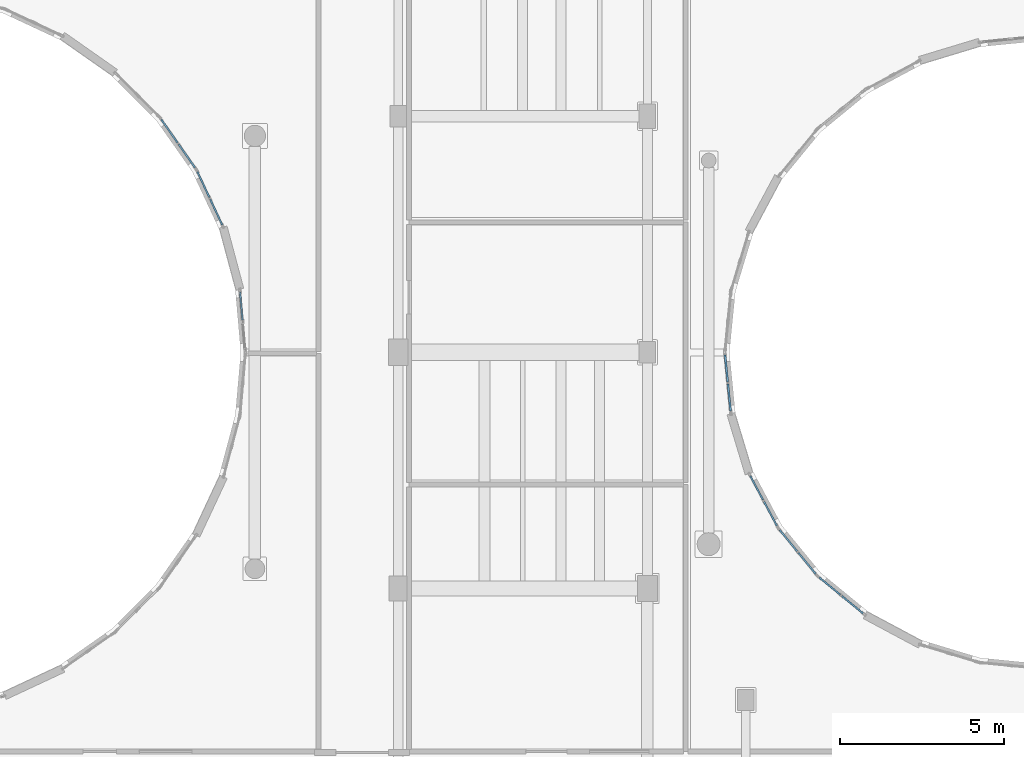
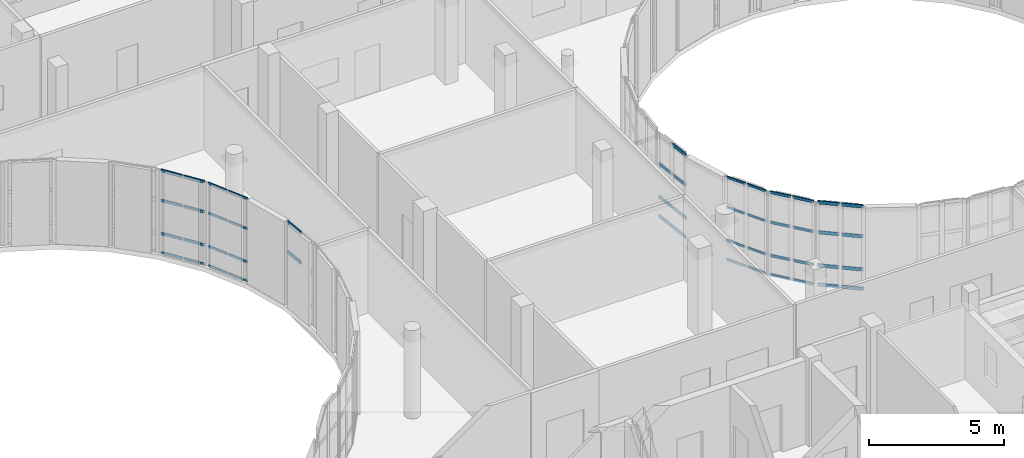
# One storey, part 55 of 105: 49 members, 7 elements without a shape of their own.
"""IFC4 building model written with IfcOpenShell, lengths in metres."""

from ifc_helpers import new_model, si_unit, direction, frame, origin, origin_2d, place, context, subcontext, project, spatial, hollow_rectangle, extrude, material, layer, layer_set, material_profile, profile_set, type_object, element, aggregate, save


model = new_model("IFC4")

# Units and contexts
model_context = context("Model", 3, precision=1e-05, world=origin(), true_north=direction((0.0, 1.0)))
body_context = subcontext(model_context, "Body", "Model", "MODEL_VIEW")
ifc_project = project(units=[si_unit("LENGTHUNIT", "METRE"), si_unit("AREAUNIT", "SQUARE_METRE"), si_unit("VOLUMEUNIT", "CUBIC_METRE"), si_unit("PLANEANGLEUNIT", "RADIAN"), si_unit("MASSUNIT", "GRAM", prefix="KILO")], contexts=[model_context])

# Site, building, storey
site_placement = place(None, origin())
site = spatial("IfcSite", under=ifc_project, at=site_placement, CompositionType="ELEMENT")
building_placement = place(site_placement, origin())
building = spatial("IfcBuilding", under=site, at=building_placement, Name="Kelanivale Promenade Academy", CompositionType="ELEMENT")
storey_placement = place(building_placement, frame((0.0, 0.0, 4.199951171875)))
storey = spatial("IfcBuildingStorey", under=building, at=storey_placement, Name="L01", CompositionType="ELEMENT", Elevation=4.199951171875)

# Curtain wall, members
ifc_material_1 = material(Name="Bronze anodised aluminium and solar-control low-E glass", Category="aluminium")
ifc_layer_1 = layer(ifc_material_1, 0.179931640625)
ifc_layer_set_1 = layer_set([ifc_layer_1], Name="Bronze anodised aluminium and solar-control low-E glass")
curtain_wall_type_1 = type_object("IfcCurtainWallType", Name="CW-17 Curtain Wall 1950mm Module", PredefinedType="USERDEFINED", material=ifc_layer_set_1)
curtain_wall_1_placement = place(storey_placement, origin())
curtain_wall_1 = element("IfcCurtainWall", 1, at=curtain_wall_1_placement, inside=storey, type_object=curtain_wall_type_1, Name="L01 courtyard curtain wall CW-17", ObjectType="COURTYARD SCREEN GLAZING", PredefinedType="USERDEFINED")
ifc_material_2 = material(Name="Bronze anodised aluminium EN AW-6063 T6", Category="aluminium")
ifc_material_profile_1 = material_profile(ifc_material_2, hollow_rectangle(XDim=0.050048828125, YDim=0.10009765625, WallThickness=0.0029296875, at=origin_2d()), Name="ALU 50x100x3.0")
ifc_profile_set_1 = profile_set([ifc_material_profile_1], Name="Bronze anodised aluminium EN AW-6063 T6")
member_type_1 = type_object("IfcMemberType", Name="CWT-01 ALU 50x100x3.0", PredefinedType="USERDEFINED", material=ifc_profile_set_1)
member_1_placement = place(storey_placement, frame((89.935302734375, 53.033203125, 0.025146484375), z_axis=(0.471165332138, -0.882044913704, 0.0), x_axis=(0.882044913704, 0.471165332138, 0.0)))
member_1 = element("IfcMember", 2, at=member_1_placement, type_object=member_type_1, Name="CW-17 transom 1.1", ObjectType="TRANSOM", PredefinedType="USERDEFINED", context=body_context, shape_type="SweptSolid", body=[
    extrude(hollow_rectangle(XDim=0.050048828125, YDim=0.10009765625, WallThickness=0.0029296875, at=origin_2d()), origin(), (0.0, 0.0, 1.0), 0.834228515625),
])
member_2_placement = place(storey_placement, frame((89.935302734375, 53.033203125, 0.900146484375), z_axis=(0.471165332138, -0.882044913704, 0.0), x_axis=(0.882044913704, 0.471165332138, 0.0)))
member_2 = element("IfcMember", 3, at=member_2_placement, type_object=member_type_1, Name="CW-17 transom 1.2", ObjectType="TRANSOM", PredefinedType="USERDEFINED", context=body_context, shape_type="SweptSolid", body=[
    extrude(hollow_rectangle(XDim=0.050048828125, YDim=0.10009765625, WallThickness=0.0029296875, at=origin_2d()), origin(), (0.0, 0.0, 1.0), 0.834228515625),
])
member_3_placement = place(storey_placement, frame((89.935302734375, 53.033203125, 2.400146484375), z_axis=(0.471165332138, -0.882044913704, 0.0), x_axis=(0.882044913704, 0.471165332138, 0.0)))
member_3 = element("IfcMember", 4, at=member_3_placement, type_object=member_type_1, Name="CW-17 transom 1.3", ObjectType="TRANSOM", PredefinedType="USERDEFINED", context=body_context, shape_type="SweptSolid", body=[
    extrude(hollow_rectangle(XDim=0.050048828125, YDim=0.10009765625, WallThickness=0.0029296875, at=origin_2d()), origin(), (0.0, 0.0, 1.0), 0.834228515625),
])
member_4_placement = place(storey_placement, frame((89.935302734375, 53.033203125, 3.755126953125), z_axis=(0.471165332138, -0.882044913704, 0.0), x_axis=(0.882044913704, 0.471165332138, 0.0)))
member_4 = element("IfcMember", 5, at=member_4_placement, type_object=member_type_1, Name="CW-17 transom 1.4", ObjectType="TRANSOM", PredefinedType="USERDEFINED", context=body_context, shape_type="SweptSolid", body=[
    extrude(hollow_rectangle(XDim=0.050048828125, YDim=0.10009765625, WallThickness=0.0029296875, at=origin_2d()), origin(), (0.0, 0.0, 1.0), 0.834228515625),
])
member_5_placement = place(storey_placement, frame((90.356689453125, 52.24462890625, 0.025146484375), z_axis=(0.471286980873, -0.881979921347, 0.0), x_axis=(0.881979921347, 0.471286980873, 0.0)))
member_5 = element("IfcMember", 6, at=member_5_placement, type_object=member_type_1, Name="CW-17 transom 2.1", ObjectType="TRANSOM", PredefinedType="USERDEFINED", context=body_context, shape_type="SweptSolid", body=[
    extrude(hollow_rectangle(XDim=0.050048828125, YDim=0.10009765625, WallThickness=0.0029296875, at=origin_2d()), origin(), (0.0, 0.0, 1.0), 0.833984375),
])
member_6_placement = place(storey_placement, frame((90.356689453125, 52.24462890625, 0.900146484375), z_axis=(0.471286980873, -0.881979921347, 0.0), x_axis=(0.881979921347, 0.471286980873, 0.0)))
member_6 = element("IfcMember", 7, at=member_6_placement, type_object=member_type_1, Name="CW-17 transom 2.2", ObjectType="TRANSOM", PredefinedType="USERDEFINED", context=body_context, shape_type="SweptSolid", body=[
    extrude(hollow_rectangle(XDim=0.050048828125, YDim=0.10009765625, WallThickness=0.0029296875, at=origin_2d()), origin(), (0.0, 0.0, 1.0), 0.833984375),
])
member_7_placement = place(storey_placement, frame((90.356689453125, 52.24462890625, 2.400146484375), z_axis=(0.471286980873, -0.881979921347, 0.0), x_axis=(0.881979921347, 0.471286980873, 0.0)))
member_7 = element("IfcMember", 8, at=member_7_placement, type_object=member_type_1, Name="CW-17 transom 2.3", ObjectType="TRANSOM", PredefinedType="USERDEFINED", context=body_context, shape_type="SweptSolid", body=[
    extrude(hollow_rectangle(XDim=0.050048828125, YDim=0.10009765625, WallThickness=0.0029296875, at=origin_2d()), origin(), (0.0, 0.0, 1.0), 0.833984375),
])
member_8_placement = place(storey_placement, frame((90.356689453125, 52.24462890625, 3.755126953125), z_axis=(0.471286980873, -0.881979921347, 0.0), x_axis=(0.881979921347, 0.471286980873, 0.0)))
member_8 = element("IfcMember", 9, at=member_8_placement, type_object=member_type_1, Name="CW-17 transom 2.4", ObjectType="TRANSOM", PredefinedType="USERDEFINED", context=body_context, shape_type="SweptSolid", body=[
    extrude(hollow_rectangle(XDim=0.050048828125, YDim=0.10009765625, WallThickness=0.0029296875, at=origin_2d()), origin(), (0.0, 0.0, 1.0), 0.833984375),
])
aggregate(curtain_wall_1, [member_1, member_2, member_3, member_4, member_5, member_6, member_7, member_8])

ifc_layer_2 = layer(ifc_material_1, 0.179931640625)
ifc_layer_set_2 = layer_set([ifc_layer_2], Name="Bronze anodised aluminium and solar-control low-E glass")
curtain_wall_type_2 = type_object("IfcCurtainWallType", Name="CW-05 Curtain Wall 1950mm Module", PredefinedType="USERDEFINED", material=ifc_layer_set_2)
curtain_wall_2_placement = place(storey_placement, origin())
curtain_wall_2 = element("IfcCurtainWall", 10, at=curtain_wall_2_placement, inside=storey, type_object=curtain_wall_type_2, Name="L01 courtyard curtain wall CW-05", ObjectType="UNITISED GLAZING", PredefinedType="USERDEFINED")
member_9_placement = place(storey_placement, frame((73.83251953125, 60.689453125, 0.025146484375), z_axis=(-0.423009630056, 0.906125186098, 0.0), x_axis=(-0.906125186098, -0.423009630056, 0.0)))
member_9 = element("IfcMember", 11, at=member_9_placement, type_object=member_type_1, Name="CW-05 transom 1.1", ObjectType="TRANSOM", PredefinedType="USERDEFINED", context=body_context, shape_type="SweptSolid", body=[
    extrude(hollow_rectangle(XDim=0.050048828125, YDim=0.10009765625, WallThickness=0.0029296875, at=origin_2d()), origin(), (0.0, 0.0, 1.0), 0.861083984375),
])
member_10_placement = place(storey_placement, frame((73.83251953125, 60.689453125, 0.900146484375), z_axis=(-0.423009630056, 0.906125186098, 0.0), x_axis=(-0.906125186098, -0.423009630056, 0.0)))
member_10 = element("IfcMember", 12, at=member_10_placement, type_object=member_type_1, Name="CW-05 transom 1.2", ObjectType="TRANSOM", PredefinedType="USERDEFINED", context=body_context, shape_type="SweptSolid", body=[
    extrude(hollow_rectangle(XDim=0.050048828125, YDim=0.10009765625, WallThickness=0.0029296875, at=origin_2d()), origin(), (0.0, 0.0, 1.0), 0.861083984375),
])
member_11_placement = place(storey_placement, frame((73.83251953125, 60.689453125, 2.400146484375), z_axis=(-0.423009630056, 0.906125186098, 0.0), x_axis=(-0.906125186098, -0.423009630056, 0.0)))
member_11 = element("IfcMember", 13, at=member_11_placement, type_object=member_type_1, Name="CW-05 transom 1.3", ObjectType="TRANSOM", PredefinedType="USERDEFINED", context=body_context, shape_type="SweptSolid", body=[
    extrude(hollow_rectangle(XDim=0.050048828125, YDim=0.10009765625, WallThickness=0.0029296875, at=origin_2d()), origin(), (0.0, 0.0, 1.0), 0.861083984375),
])
member_12_placement = place(storey_placement, frame((73.83251953125, 60.689453125, 3.755126953125), z_axis=(-0.423009630056, 0.906125186098, 0.0), x_axis=(-0.906125186098, -0.423009630056, 0.0)))
member_12 = element("IfcMember", 14, at=member_12_placement, type_object=member_type_1, Name="CW-05 transom 1.4", ObjectType="TRANSOM", PredefinedType="USERDEFINED", context=body_context, shape_type="SweptSolid", body=[
    extrude(hollow_rectangle(XDim=0.050048828125, YDim=0.10009765625, WallThickness=0.0029296875, at=origin_2d()), origin(), (0.0, 0.0, 1.0), 0.861083984375),
])
member_13_placement = place(storey_placement, frame((73.44287109375, 61.524169921875, 0.025146484375), z_axis=(-0.423133693303, 0.906067258868, 0.0), x_axis=(-0.906067258868, -0.423133693303, 0.0)))
member_13 = element("IfcMember", 15, at=member_13_placement, type_object=member_type_1, Name="CW-05 transom 2.1", ObjectType="TRANSOM", PredefinedType="USERDEFINED", context=body_context, shape_type="SweptSolid", body=[
    extrude(hollow_rectangle(XDim=0.050048828125, YDim=0.10009765625, WallThickness=0.0029296875, at=origin_2d()), origin(), (0.0, 0.0, 1.0), 0.861328125),
])
member_14_placement = place(storey_placement, frame((73.44287109375, 61.524169921875, 0.900146484375), z_axis=(-0.423133693303, 0.906067258868, 0.0), x_axis=(-0.906067258868, -0.423133693303, 0.0)))
member_14 = element("IfcMember", 16, at=member_14_placement, type_object=member_type_1, Name="CW-05 transom 2.2", ObjectType="TRANSOM", PredefinedType="USERDEFINED", context=body_context, shape_type="SweptSolid", body=[
    extrude(hollow_rectangle(XDim=0.050048828125, YDim=0.10009765625, WallThickness=0.0029296875, at=origin_2d()), origin(), (0.0, 0.0, 1.0), 0.861328125),
])
member_15_placement = place(storey_placement, frame((73.44287109375, 61.524169921875, 2.400146484375), z_axis=(-0.423133693303, 0.906067258868, 0.0), x_axis=(-0.906067258868, -0.423133693303, 0.0)))
member_15 = element("IfcMember", 17, at=member_15_placement, type_object=member_type_1, Name="CW-05 transom 2.3", ObjectType="TRANSOM", PredefinedType="USERDEFINED", context=body_context, shape_type="SweptSolid", body=[
    extrude(hollow_rectangle(XDim=0.050048828125, YDim=0.10009765625, WallThickness=0.0029296875, at=origin_2d()), origin(), (0.0, 0.0, 1.0), 0.861328125),
])
member_16_placement = place(storey_placement, frame((73.44287109375, 61.524169921875, 3.755126953125), z_axis=(-0.423133693303, 0.906067258868, 0.0), x_axis=(-0.906067258868, -0.423133693303, 0.0)))
member_16 = element("IfcMember", 18, at=member_16_placement, type_object=member_type_1, Name="CW-05 transom 2.4", ObjectType="TRANSOM", PredefinedType="USERDEFINED", context=body_context, shape_type="SweptSolid", body=[
    extrude(hollow_rectangle(XDim=0.050048828125, YDim=0.10009765625, WallThickness=0.0029296875, at=origin_2d()), origin(), (0.0, 0.0, 1.0), 0.861328125),
])
aggregate(curtain_wall_2, [member_9, member_10, member_11, member_12, member_13, member_14, member_15, member_16])

ifc_layer_3 = layer(ifc_material_1, 0.159912109375)
ifc_layer_set_3 = layer_set([ifc_layer_3], Name="Bronze anodised aluminium and solar-control low-E glass")
curtain_wall_type_3 = type_object("IfcCurtainWallType", Name="CW-18 Curtain Wall 1200mm Module", PredefinedType="USERDEFINED", material=ifc_layer_set_3)
curtain_wall_3_placement = place(storey_placement, origin())
curtain_wall_3 = element("IfcCurtainWall", 19, at=curtain_wall_3_placement, inside=storey, type_object=curtain_wall_type_3, Name="L01 courtyard curtain wall CW-18", ObjectType="COURTYARD SCREEN GLAZING", PredefinedType="USERDEFINED")
ifc_material_profile_2 = material_profile(ifc_material_2, hollow_rectangle(XDim=0.050048828125, YDim=0.1201171875, WallThickness=0.0029296875, at=origin_2d()), Name="ALU 50x120x3.0")
ifc_profile_set_2 = profile_set([ifc_material_profile_2], Name="Bronze anodised aluminium EN AW-6063 T6")
member_type_2 = type_object("IfcMemberType", Name="CWT-02 ALU 50x120x3.0", PredefinedType="USERDEFINED", material=ifc_profile_set_2)
member_17_placement = place(storey_placement, frame((90.8310546875, 51.38671875, 0.025146484375), z_axis=(0.634027534728, -0.773310471419, 0.0), x_axis=(0.773310471419, 0.634027534728, 0.0)))
member_17 = element("IfcMember", 20, at=member_17_placement, type_object=member_type_2, Name="CW-18 transom 1.1", ObjectType="TRANSOM", PredefinedType="USERDEFINED", context=body_context, shape_type="SweptSolid", body=[
    extrude(hollow_rectangle(XDim=0.050048828125, YDim=0.1201171875, WallThickness=0.0029296875, at=origin_2d()), origin(), (0.0, 0.0, 1.0), 0.84130859375),
])
member_18_placement = place(storey_placement, frame((90.8310546875, 51.38671875, 0.900146484375), z_axis=(0.634027534728, -0.773310471419, 0.0), x_axis=(0.773310471419, 0.634027534728, 0.0)))
member_18 = element("IfcMember", 21, at=member_18_placement, type_object=member_type_2, Name="CW-18 transom 1.2", ObjectType="TRANSOM", PredefinedType="USERDEFINED", context=body_context, shape_type="SweptSolid", body=[
    extrude(hollow_rectangle(XDim=0.050048828125, YDim=0.1201171875, WallThickness=0.0029296875, at=origin_2d()), origin(), (0.0, 0.0, 1.0), 0.84130859375),
])
member_19_placement = place(storey_placement, frame((90.8310546875, 51.38671875, 2.400146484375), z_axis=(0.634027534728, -0.773310471419, 0.0), x_axis=(0.773310471419, 0.634027534728, 0.0)))
member_19 = element("IfcMember", 22, at=member_19_placement, type_object=member_type_2, Name="CW-18 transom 1.3", ObjectType="TRANSOM", PredefinedType="USERDEFINED", context=body_context, shape_type="SweptSolid", body=[
    extrude(hollow_rectangle(XDim=0.050048828125, YDim=0.1201171875, WallThickness=0.0029296875, at=origin_2d()), origin(), (0.0, 0.0, 1.0), 0.84130859375),
])
member_20_placement = place(storey_placement, frame((90.8310546875, 51.38671875, 3.755126953125), z_axis=(0.634027534728, -0.773310471419, 0.0), x_axis=(0.773310471419, 0.634027534728, 0.0)))
member_20 = element("IfcMember", 23, at=member_20_placement, type_object=member_type_2, Name="CW-18 transom 1.4", ObjectType="TRANSOM", PredefinedType="USERDEFINED", context=body_context, shape_type="SweptSolid", body=[
    extrude(hollow_rectangle(XDim=0.050048828125, YDim=0.1201171875, WallThickness=0.0029296875, at=origin_2d()), origin(), (0.0, 0.0, 1.0), 0.84130859375),
])
member_21_placement = place(storey_placement, frame((91.402587890625, 50.689697265625, 0.025146484375), z_axis=(0.634169827677, -0.773193785324, 0.0), x_axis=(0.773193785324, 0.634169827677, 0.0)))
member_21 = element("IfcMember", 24, at=member_21_placement, type_object=member_type_2, Name="CW-18 transom 2.1", ObjectType="TRANSOM", PredefinedType="USERDEFINED", context=body_context, shape_type="SweptSolid", body=[
    extrude(hollow_rectangle(XDim=0.050048828125, YDim=0.1201171875, WallThickness=0.0029296875, at=origin_2d()), origin(), (0.0, 0.0, 1.0), 0.841064453125),
])
member_22_placement = place(storey_placement, frame((91.402587890625, 50.689697265625, 0.900146484375), z_axis=(0.634169827677, -0.773193785324, 0.0), x_axis=(0.773193785324, 0.634169827677, 0.0)))
member_22 = element("IfcMember", 25, at=member_22_placement, type_object=member_type_2, Name="CW-18 transom 2.2", ObjectType="TRANSOM", PredefinedType="USERDEFINED", context=body_context, shape_type="SweptSolid", body=[
    extrude(hollow_rectangle(XDim=0.050048828125, YDim=0.1201171875, WallThickness=0.0029296875, at=origin_2d()), origin(), (0.0, 0.0, 1.0), 0.841064453125),
])
member_23_placement = place(storey_placement, frame((91.402587890625, 50.689697265625, 2.400146484375), z_axis=(0.634169827677, -0.773193785324, 0.0), x_axis=(0.773193785324, 0.634169827677, 0.0)))
member_23 = element("IfcMember", 26, at=member_23_placement, type_object=member_type_2, Name="CW-18 transom 2.3", ObjectType="TRANSOM", PredefinedType="USERDEFINED", context=body_context, shape_type="SweptSolid", body=[
    extrude(hollow_rectangle(XDim=0.050048828125, YDim=0.1201171875, WallThickness=0.0029296875, at=origin_2d()), origin(), (0.0, 0.0, 1.0), 0.841064453125),
])
member_24_placement = place(storey_placement, frame((91.402587890625, 50.689697265625, 3.755126953125), z_axis=(0.634169827677, -0.773193785324, 0.0), x_axis=(0.773193785324, 0.634169827677, 0.0)))
member_24 = element("IfcMember", 27, at=member_24_placement, type_object=member_type_2, Name="CW-18 transom 2.4", ObjectType="TRANSOM", PredefinedType="USERDEFINED", context=body_context, shape_type="SweptSolid", body=[
    extrude(hollow_rectangle(XDim=0.050048828125, YDim=0.1201171875, WallThickness=0.0029296875, at=origin_2d()), origin(), (0.0, 0.0, 1.0), 0.841064453125),
])
aggregate(curtain_wall_3, [member_17, member_18, member_19, member_20, member_21, member_22, member_23, member_24])

ifc_layer_4 = layer(ifc_material_1, 0.159912109375)
ifc_layer_set_4 = layer_set([ifc_layer_4], Name="Bronze anodised aluminium and solar-control low-E glass")
curtain_wall_type_4 = type_object("IfcCurtainWallType", Name="CW-06 Curtain Wall 1200mm Module", PredefinedType="USERDEFINED", material=ifc_layer_set_4)
curtain_wall_4_placement = place(storey_placement, origin())
curtain_wall_4 = element("IfcCurtainWall", 28, at=curtain_wall_4_placement, inside=storey, type_object=curtain_wall_type_4, Name="L01 courtyard curtain wall CW-06", ObjectType="UNITISED GLAZING", PredefinedType="USERDEFINED")
member_25_placement = place(storey_placement, frame((73.006591796875, 62.42919921875, 0.025146484375), z_axis=(-0.573556641726, 0.819165904278, 0.0), x_axis=(-0.819165904278, -0.573556641726, 0.0)))
member_25 = element("IfcMember", 29, at=member_25_placement, type_object=member_type_2, Name="CW-06 transom 1.1", ObjectType="TRANSOM", PredefinedType="USERDEFINED", context=body_context, shape_type="SweptSolid", body=[
    extrude(hollow_rectangle(XDim=0.050048828125, YDim=0.1201171875, WallThickness=0.0029296875, at=origin_2d()), origin(), (0.0, 0.0, 1.0), 0.86865234375),
])
member_26_placement = place(storey_placement, frame((73.006591796875, 62.42919921875, 0.900146484375), z_axis=(-0.573556641726, 0.819165904278, 0.0), x_axis=(-0.819165904278, -0.573556641726, 0.0)))
member_26 = element("IfcMember", 30, at=member_26_placement, type_object=member_type_2, Name="CW-06 transom 1.2", ObjectType="TRANSOM", PredefinedType="USERDEFINED", context=body_context, shape_type="SweptSolid", body=[
    extrude(hollow_rectangle(XDim=0.050048828125, YDim=0.1201171875, WallThickness=0.0029296875, at=origin_2d()), origin(), (0.0, 0.0, 1.0), 0.86865234375),
])
member_27_placement = place(storey_placement, frame((73.006591796875, 62.42919921875, 2.400146484375), z_axis=(-0.573556641726, 0.819165904278, 0.0), x_axis=(-0.819165904278, -0.573556641726, 0.0)))
member_27 = element("IfcMember", 31, at=member_27_placement, type_object=member_type_2, Name="CW-06 transom 1.3", ObjectType="TRANSOM", PredefinedType="USERDEFINED", context=body_context, shape_type="SweptSolid", body=[
    extrude(hollow_rectangle(XDim=0.050048828125, YDim=0.1201171875, WallThickness=0.0029296875, at=origin_2d()), origin(), (0.0, 0.0, 1.0), 0.86865234375),
])
member_28_placement = place(storey_placement, frame((73.006591796875, 62.42919921875, 3.755126953125), z_axis=(-0.573556641726, 0.819165904278, 0.0), x_axis=(-0.819165904278, -0.573556641726, 0.0)))
member_28 = element("IfcMember", 32, at=member_28_placement, type_object=member_type_2, Name="CW-06 transom 1.4", ObjectType="TRANSOM", PredefinedType="USERDEFINED", context=body_context, shape_type="SweptSolid", body=[
    extrude(hollow_rectangle(XDim=0.050048828125, YDim=0.1201171875, WallThickness=0.0029296875, at=origin_2d()), origin(), (0.0, 0.0, 1.0), 0.86865234375),
])
member_29_placement = place(storey_placement, frame((72.473876953125, 63.190185546875, 0.025146484375), z_axis=(-0.573745168069, 0.819033871166, 0.0), x_axis=(-0.819033871166, -0.573745168069, 0.0)))
member_29 = element("IfcMember", 33, at=member_29_placement, type_object=member_type_2, Name="CW-06 transom 2.1", ObjectType="TRANSOM", PredefinedType="USERDEFINED", context=body_context, shape_type="SweptSolid", body=[
    extrude(hollow_rectangle(XDim=0.050048828125, YDim=0.1201171875, WallThickness=0.0029296875, at=origin_2d()), origin(), (0.0, 0.0, 1.0), 0.868896484375),
])
member_30_placement = place(storey_placement, frame((72.473876953125, 63.190185546875, 0.900146484375), z_axis=(-0.573745168069, 0.819033871166, 0.0), x_axis=(-0.819033871166, -0.573745168069, 0.0)))
member_30 = element("IfcMember", 34, at=member_30_placement, type_object=member_type_2, Name="CW-06 transom 2.2", ObjectType="TRANSOM", PredefinedType="USERDEFINED", context=body_context, shape_type="SweptSolid", body=[
    extrude(hollow_rectangle(XDim=0.050048828125, YDim=0.1201171875, WallThickness=0.0029296875, at=origin_2d()), origin(), (0.0, 0.0, 1.0), 0.868896484375),
])
member_31_placement = place(storey_placement, frame((72.473876953125, 63.190185546875, 2.400146484375), z_axis=(-0.573745168069, 0.819033871166, 0.0), x_axis=(-0.819033871166, -0.573745168069, 0.0)))
member_31 = element("IfcMember", 35, at=member_31_placement, type_object=member_type_2, Name="CW-06 transom 2.3", ObjectType="TRANSOM", PredefinedType="USERDEFINED", context=body_context, shape_type="SweptSolid", body=[
    extrude(hollow_rectangle(XDim=0.050048828125, YDim=0.1201171875, WallThickness=0.0029296875, at=origin_2d()), origin(), (0.0, 0.0, 1.0), 0.868896484375),
])
member_32_placement = place(storey_placement, frame((72.473876953125, 63.190185546875, 3.755126953125), z_axis=(-0.573745168069, 0.819033871166, 0.0), x_axis=(-0.819033871166, -0.573745168069, 0.0)))
member_32 = element("IfcMember", 36, at=member_32_placement, type_object=member_type_2, Name="CW-06 transom 2.4", ObjectType="TRANSOM", PredefinedType="USERDEFINED", context=body_context, shape_type="SweptSolid", body=[
    extrude(hollow_rectangle(XDim=0.050048828125, YDim=0.1201171875, WallThickness=0.0029296875, at=origin_2d()), origin(), (0.0, 0.0, 1.0), 0.868896484375),
])
aggregate(curtain_wall_4, [member_25, member_26, member_27, member_28, member_29, member_30, member_31, member_32])

ifc_layer_5 = layer(ifc_material_1, 0.169921875)
ifc_layer_set_5 = layer_set([ifc_layer_5], Name="Bronze anodised aluminium and solar-control low-E glass")
curtain_wall_type_5 = type_object("IfcCurtainWallType", Name="CW-19 Curtain Wall 1350mm Module", PredefinedType="USERDEFINED", material=ifc_layer_set_5)
curtain_wall_5_placement = place(storey_placement, origin())
curtain_wall_5 = element("IfcCurtainWall", 37, at=curtain_wall_5_placement, inside=storey, type_object=curtain_wall_type_5, Name="L01 courtyard curtain wall CW-19", ObjectType="COURTYARD SCREEN GLAZING", PredefinedType="USERDEFINED")
ifc_material_profile_3 = material_profile(ifc_material_2, hollow_rectangle(XDim=0.050048828125, YDim=0.14990234375, WallThickness=0.00341796875, at=origin_2d()), Name="ALU 50x150x3.5")
ifc_profile_set_3 = profile_set([ifc_material_profile_3], Name="Bronze anodised aluminium EN AW-6063 T6")
member_type_3 = type_object("IfcMemberType", Name="CWT-03 ALU 50x150x3.5", PredefinedType="USERDEFINED", material=ifc_profile_set_3)
member_33_placement = place(storey_placement, frame((92.043212890625, 49.932861328125, 0.025146484375), z_axis=(0.7732851825, -0.634058377853, 0.0), x_axis=(0.634058377853, 0.7732851825, 0.0)))
member_33 = element("IfcMember", 38, at=member_33_placement, type_object=member_type_3, Name="CW-19 transom 1.1", ObjectType="TRANSOM", PredefinedType="USERDEFINED", context=body_context, shape_type="SweptSolid", body=[
    extrude(hollow_rectangle(XDim=0.050048828125, YDim=0.14990234375, WallThickness=0.00341796875, at=origin_2d()), origin(), (0.0, 0.0, 1.0), 0.825927734375),
])
member_34_placement = place(storey_placement, frame((92.043212890625, 49.932861328125, 0.900146484375), z_axis=(0.7732851825, -0.634058377853, 0.0), x_axis=(0.634058377853, 0.7732851825, 0.0)))
member_34 = element("IfcMember", 39, at=member_34_placement, type_object=member_type_3, Name="CW-19 transom 1.2", ObjectType="TRANSOM", PredefinedType="USERDEFINED", context=body_context, shape_type="SweptSolid", body=[
    extrude(hollow_rectangle(XDim=0.050048828125, YDim=0.14990234375, WallThickness=0.00341796875, at=origin_2d()), origin(), (0.0, 0.0, 1.0), 0.825927734375),
])
member_35_placement = place(storey_placement, frame((92.043212890625, 49.932861328125, 2.400146484375), z_axis=(0.7732851825, -0.634058377853, 0.0), x_axis=(0.634058377853, 0.7732851825, 0.0)))
member_35 = element("IfcMember", 40, at=member_35_placement, type_object=member_type_3, Name="CW-19 transom 1.3", ObjectType="TRANSOM", PredefinedType="USERDEFINED", context=body_context, shape_type="SweptSolid", body=[
    extrude(hollow_rectangle(XDim=0.050048828125, YDim=0.14990234375, WallThickness=0.00341796875, at=origin_2d()), origin(), (0.0, 0.0, 1.0), 0.825927734375),
])
member_36_placement = place(storey_placement, frame((92.043212890625, 49.932861328125, 3.755126953125), z_axis=(0.7732851825, -0.634058377853, 0.0), x_axis=(0.634058377853, 0.7732851825, 0.0)))
member_36 = element("IfcMember", 41, at=member_36_placement, type_object=member_type_3, Name="CW-19 transom 1.4", ObjectType="TRANSOM", PredefinedType="USERDEFINED", context=body_context, shape_type="SweptSolid", body=[
    extrude(hollow_rectangle(XDim=0.050048828125, YDim=0.14990234375, WallThickness=0.00341796875, at=origin_2d()), origin(), (0.0, 0.0, 1.0), 0.825927734375),
])
member_37_placement = place(storey_placement, frame((92.732177734375, 49.367919921875, 0.025146484375), z_axis=(0.7732851825, -0.634058377853, 0.0), x_axis=(0.634058377853, 0.7732851825, 0.0)))
member_37 = element("IfcMember", 42, at=member_37_placement, type_object=member_type_3, Name="CW-19 transom 2.1", ObjectType="TRANSOM", PredefinedType="USERDEFINED", context=body_context, shape_type="SweptSolid", body=[
    extrude(hollow_rectangle(XDim=0.050048828125, YDim=0.14990234375, WallThickness=0.00341796875, at=origin_2d()), origin(), (0.0, 0.0, 1.0), 0.825927734375),
])
member_38_placement = place(storey_placement, frame((92.732177734375, 49.367919921875, 0.900146484375), z_axis=(0.7732851825, -0.634058377853, 0.0), x_axis=(0.634058377853, 0.7732851825, 0.0)))
member_38 = element("IfcMember", 43, at=member_38_placement, type_object=member_type_3, Name="CW-19 transom 2.2", ObjectType="TRANSOM", PredefinedType="USERDEFINED", context=body_context, shape_type="SweptSolid", body=[
    extrude(hollow_rectangle(XDim=0.050048828125, YDim=0.14990234375, WallThickness=0.00341796875, at=origin_2d()), origin(), (0.0, 0.0, 1.0), 0.825927734375),
])
member_39_placement = place(storey_placement, frame((92.732177734375, 49.367919921875, 2.400146484375), z_axis=(0.7732851825, -0.634058377853, 0.0), x_axis=(0.634058377853, 0.7732851825, 0.0)))
member_39 = element("IfcMember", 44, at=member_39_placement, type_object=member_type_3, Name="CW-19 transom 2.3", ObjectType="TRANSOM", PredefinedType="USERDEFINED", context=body_context, shape_type="SweptSolid", body=[
    extrude(hollow_rectangle(XDim=0.050048828125, YDim=0.14990234375, WallThickness=0.00341796875, at=origin_2d()), origin(), (0.0, 0.0, 1.0), 0.825927734375),
])
member_40_placement = place(storey_placement, frame((92.732177734375, 49.367919921875, 3.755126953125), z_axis=(0.7732851825, -0.634058377853, 0.0), x_axis=(0.634058377853, 0.7732851825, 0.0)))
member_40 = element("IfcMember", 45, at=member_40_placement, type_object=member_type_3, Name="CW-19 transom 2.4", ObjectType="TRANSOM", PredefinedType="USERDEFINED", context=body_context, shape_type="SweptSolid", body=[
    extrude(hollow_rectangle(XDim=0.050048828125, YDim=0.14990234375, WallThickness=0.00341796875, at=origin_2d()), origin(), (0.0, 0.0, 1.0), 0.825927734375),
])
aggregate(curtain_wall_5, [member_33, member_34, member_35, member_36, member_37, member_38, member_39, member_40])

ifc_layer_6 = layer(ifc_material_1, 0.169921875)
ifc_layer_set_6 = layer_set([ifc_layer_6], Name="Bronze anodised aluminium and solar-control low-E glass")
curtain_wall_type_6 = type_object("IfcCurtainWallType", Name="CW-07 Curtain Wall 1350mm Module", PredefinedType="USERDEFINED", material=ifc_layer_set_6)
curtain_wall_6_placement = place(storey_placement, origin())
curtain_wall_6 = element("IfcCurtainWall", 46, at=curtain_wall_6_placement, inside=storey, type_object=curtain_wall_type_6, Name="L01 courtyard curtain wall CW-07", ObjectType="UNITISED GLAZING", PredefinedType="USERDEFINED")
member_41_placement = place(storey_placement, frame((74.453125, 57.7919921875, 2.400146484375), z_axis=(-0.087234362353, 0.996187816641, 0.0), x_axis=(-0.996187816641, -0.087234362353, 0.0)))
member_41 = element("IfcMember", 47, at=member_41_placement, type_object=member_type_3, Name="CW-07 transom 2.3", ObjectType="TRANSOM", PredefinedType="USERDEFINED", context=body_context, shape_type="SweptSolid", body=[
    extrude(hollow_rectangle(XDim=0.050048828125, YDim=0.14990234375, WallThickness=0.00341796875, at=origin_2d()), origin(), (0.0, 0.0, 1.0), 0.853515625),
])
member_42_placement = place(storey_placement, frame((74.453125, 57.7919921875, 3.755126953125), z_axis=(-0.087234362353, 0.996187816641, 0.0), x_axis=(-0.996187816641, -0.087234362353, 0.0)))
member_42 = element("IfcMember", 48, at=member_42_placement, type_object=member_type_3, Name="CW-07 transom 2.4", ObjectType="TRANSOM", PredefinedType="USERDEFINED", context=body_context, shape_type="SweptSolid", body=[
    extrude(hollow_rectangle(XDim=0.050048828125, YDim=0.14990234375, WallThickness=0.00341796875, at=origin_2d()), origin(), (0.0, 0.0, 1.0), 0.853515625),
])
aggregate(curtain_wall_6, [member_41, member_42])

ifc_layer_7 = layer(ifc_material_1, 0.169921875)
ifc_layer_set_7 = layer_set([ifc_layer_7], Name="Bronze anodised aluminium and solar-control low-E glass")
curtain_wall_type_7 = type_object("IfcCurtainWallType", Name="CW-16 Curtain Wall 1800mm Module", PredefinedType="USERDEFINED", material=ifc_layer_set_7)
curtain_wall_7_placement = place(storey_placement, origin())
curtain_wall_7 = element("IfcCurtainWall", 49, at=curtain_wall_7_placement, inside=storey, type_object=curtain_wall_type_7, Name="L01 courtyard curtain wall CW-16", ObjectType="COURTYARD SCREEN GLAZING", PredefinedType="USERDEFINED")
ifc_material_profile_4 = material_profile(ifc_material_2, hollow_rectangle(XDim=0.06005859375, YDim=0.139892578125, WallThickness=0.00341796875, at=origin_2d()), Name="ALU 60x140x3.5")
ifc_profile_set_4 = profile_set([ifc_material_profile_4], Name="Bronze anodised aluminium EN AW-6063 T6")
member_type_4 = type_object("IfcMemberType", Name="CWT-04 ALU 60x140x3.5", PredefinedType="USERDEFINED", material=ifc_profile_set_4)
member_43_placement = place(storey_placement, frame((89.16748046875, 56.721435546875, 0.030029296875), z_axis=(0.0984209217, -0.995144874966, 0.0), x_axis=(0.995144874966, 0.0984209217, 0.0)))
member_43 = element("IfcMember", 50, at=member_43_placement, type_object=member_type_4, Name="CW-16 transom 1.1", ObjectType="TRANSOM", PredefinedType="USERDEFINED", context=body_context, shape_type="SweptSolid", body=[
    extrude(hollow_rectangle(XDim=0.06005859375, YDim=0.139892578125, WallThickness=0.00341796875, at=origin_2d()), origin(), (0.0, 0.0, 1.0), 0.825927734375),
])
member_44_placement = place(storey_placement, frame((89.16748046875, 56.721435546875, 0.900146484375), z_axis=(0.0984209217, -0.995144874966, 0.0), x_axis=(0.995144874966, 0.0984209217, 0.0)))
member_44 = element("IfcMember", 51, at=member_44_placement, type_object=member_type_4, Name="CW-16 transom 1.2", ObjectType="TRANSOM", PredefinedType="USERDEFINED", context=body_context, shape_type="SweptSolid", body=[
    extrude(hollow_rectangle(XDim=0.06005859375, YDim=0.139892578125, WallThickness=0.00341796875, at=origin_2d()), origin(), (0.0, 0.0, 1.0), 0.825927734375),
])
member_45_placement = place(storey_placement, frame((89.16748046875, 56.721435546875, 2.400146484375), z_axis=(0.0984209217, -0.995144874966, 0.0), x_axis=(0.995144874966, 0.0984209217, 0.0)))
member_45 = element("IfcMember", 52, at=member_45_placement, type_object=member_type_4, Name="CW-16 transom 1.3", ObjectType="TRANSOM", PredefinedType="USERDEFINED", context=body_context, shape_type="SweptSolid", body=[
    extrude(hollow_rectangle(XDim=0.06005859375, YDim=0.139892578125, WallThickness=0.00341796875, at=origin_2d()), origin(), (0.0, 0.0, 1.0), 0.825927734375),
])
member_46_placement = place(storey_placement, frame((89.255126953125, 55.834716796875, 0.030029296875), z_axis=(0.098713604262, -0.995115884877, 0.0), x_axis=(0.995115884877, 0.098713604262, 0.0)))
member_46 = element("IfcMember", 53, at=member_46_placement, type_object=member_type_4, Name="CW-16 transom 2.1", ObjectType="TRANSOM", PredefinedType="USERDEFINED", context=body_context, shape_type="SweptSolid", body=[
    extrude(hollow_rectangle(XDim=0.06005859375, YDim=0.139892578125, WallThickness=0.00341796875, at=origin_2d()), origin(), (0.0, 0.0, 1.0), 0.826171875),
])
member_47_placement = place(storey_placement, frame((89.255126953125, 55.834716796875, 0.900146484375), z_axis=(0.098713604262, -0.995115884877, 0.0), x_axis=(0.995115884877, 0.098713604262, 0.0)))
member_47 = element("IfcMember", 54, at=member_47_placement, type_object=member_type_4, Name="CW-16 transom 2.2", ObjectType="TRANSOM", PredefinedType="USERDEFINED", context=body_context, shape_type="SweptSolid", body=[
    extrude(hollow_rectangle(XDim=0.06005859375, YDim=0.139892578125, WallThickness=0.00341796875, at=origin_2d()), origin(), (0.0, 0.0, 1.0), 0.826171875),
])
member_48_placement = place(storey_placement, frame((89.255126953125, 55.834716796875, 2.400146484375), z_axis=(0.098713604262, -0.995115884877, 0.0), x_axis=(0.995115884877, 0.098713604262, 0.0)))
member_48 = element("IfcMember", 55, at=member_48_placement, type_object=member_type_4, Name="CW-16 transom 2.3", ObjectType="TRANSOM", PredefinedType="USERDEFINED", context=body_context, shape_type="SweptSolid", body=[
    extrude(hollow_rectangle(XDim=0.06005859375, YDim=0.139892578125, WallThickness=0.00341796875, at=origin_2d()), origin(), (0.0, 0.0, 1.0), 0.826171875),
])
member_49_placement = place(storey_placement, frame((89.255126953125, 55.834716796875, 3.75), z_axis=(0.098713604262, -0.995115884877, 0.0), x_axis=(0.995115884877, 0.098713604262, 0.0)))
member_49 = element("IfcMember", 56, at=member_49_placement, type_object=member_type_4, Name="CW-16 transom 2.4", ObjectType="TRANSOM", PredefinedType="USERDEFINED", context=body_context, shape_type="SweptSolid", body=[
    extrude(hollow_rectangle(XDim=0.06005859375, YDim=0.139892578125, WallThickness=0.00341796875, at=origin_2d()), origin(), (0.0, 0.0, 1.0), 0.826171875),
])
aggregate(curtain_wall_7, [member_43, member_44, member_45, member_46, member_47, member_48, member_49])

save(model, "model.ifc")
